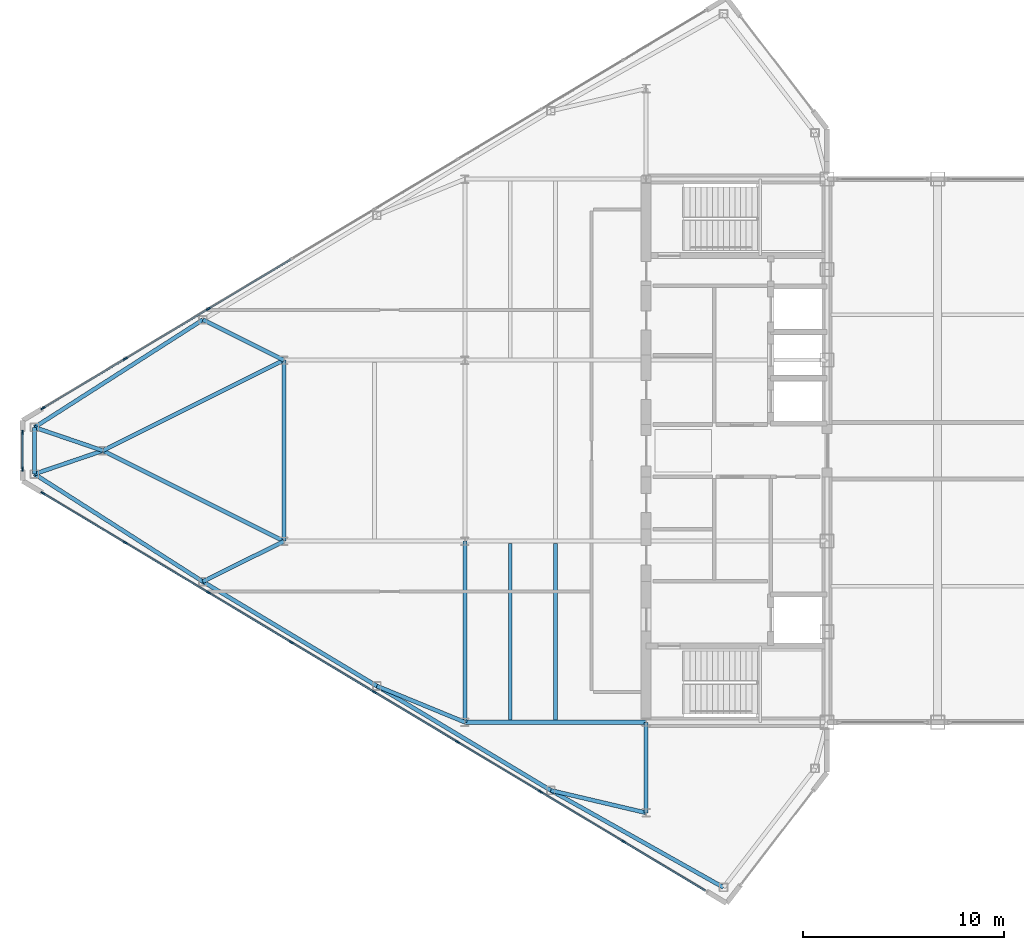
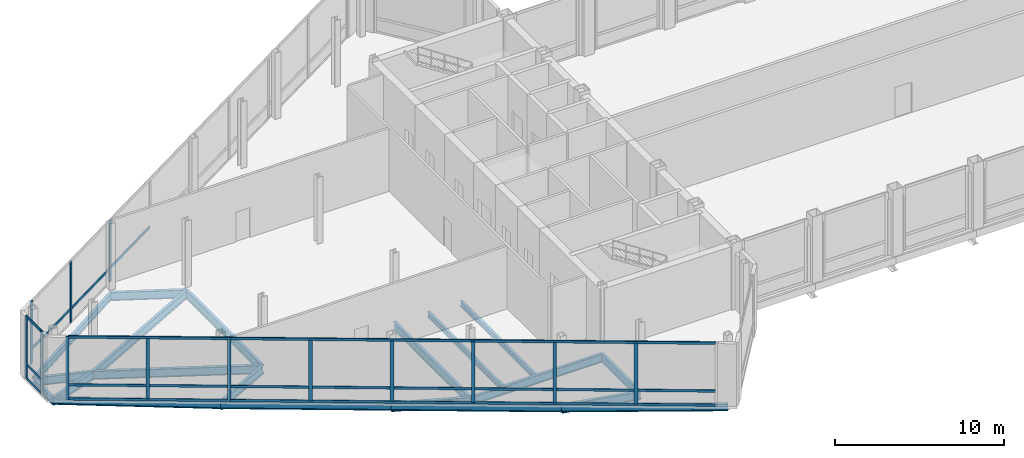
# One storey, part 8 of 29: 29 members, 20 beams, 3 elements without a shape of their own.
"""IFC4 building model written with IfcOpenShell, lengths in metres."""

from ifc_helpers import new_model, si_unit, direction, frame, origin, origin_2d, place, context, subcontext, project, spatial, rectangle, i_section, extrude, source, transform, mapped, material, layer, layer_set, material_profile, profile_set, type_object, type_shapes, element, aggregate, save


model = new_model("IFC4")

# Units and contexts
model_context = context("Model", 3, precision=1e-05, world=origin(), true_north=direction((0.0, 1.0)))
body_context = subcontext(model_context, "Body", "Model", "MODEL_VIEW")
ifc_project = project(units=[si_unit("LENGTHUNIT", "METRE"), si_unit("AREAUNIT", "SQUARE_METRE"), si_unit("VOLUMEUNIT", "CUBIC_METRE"), si_unit("PLANEANGLEUNIT", "RADIAN"), si_unit("MASSUNIT", "GRAM", prefix="KILO")], contexts=[model_context])

# Site, building, storey
site_placement = place(None, origin())
site = spatial("IfcSite", under=ifc_project, at=site_placement, CompositionType="ELEMENT")
building_placement = place(site_placement, origin())
building = spatial("IfcBuilding", under=site, at=building_placement, Name="Seokmaru Belvedere", CompositionType="ELEMENT")
storey_placement = place(building_placement, frame((0.0, 0.0, 269.39990234375)))
storey = spatial("IfcBuildingStorey", under=building, at=storey_placement, Name="L71", CompositionType="ELEMENT", Elevation=269.39990234375)

# Beams
ifc_material_1 = material(Name="Steel SM355 (355 MPa)", Category="steel")
ifc_material_profile_1 = material_profile(ifc_material_1, i_section(OverallWidth=0.199951171875, OverallDepth=0.60009765625, WebThickness=0.010986328125, FlangeThickness=0.01708984375, at=origin_2d()), Name="H-600x200x11x17")
ifc_profile_set_1 = profile_set([ifc_material_profile_1], Name="Steel SM355 (355 MPa)")
beam_type_1 = type_object("IfcBeamType", Name="Primary Floor Girder H-600", PredefinedType="BEAM", material=ifc_profile_set_1)
shared_shape_1 = source(origin(), body_context, "Body", "SweptSolid", [
    extrude(i_section(OverallWidth=0.199951171875, OverallDepth=0.60009765625, WebThickness=0.010986328125, FlangeThickness=0.01708984375, at=origin_2d()), origin(), (0.0, 0.0, 1.0), 9.0),
])
for number, where, z_axis, x_axis, name in (
    (1, (-45.5, -13.5, -0.559814453125), (0.0, 1.0, 0.0), (-1.0, 0.0, 0.0), "L71 W Interior Grid Girder 1"),
    (2, (-45.5, -13.5, -0.559814453125), (1.0, 0.0, 0.0), (0.0, 1.0, 0.0), "L71 W Wing Primary Girder 1"),
    (3, (-54.5, -4.5, -0.559814453125), (0.0, 1.0, 0.0), (-1.0, 0.0, 0.0), "L71 W Apex Frame Girder"),
):
    element("IfcBeam", number, at=place(storey_placement, frame(where, z_axis=z_axis, x_axis=x_axis)), inside=storey, type_object=beam_type_1, Name=name, PredefinedType="BEAM", context=body_context, shape_type="MappedRepresentation", body=[
        mapped(shared_shape_1, transform((0.0, 0.0, 0.0), scale=1.0)),
    ])
shared_shape_2 = source(origin(), body_context, "Body", "SweptSolid", [
    extrude(i_section(OverallWidth=0.199951171875, OverallDepth=0.60009765625, WebThickness=0.010986328125, FlangeThickness=0.01708984375, at=origin_2d()), origin(), (0.0, 0.0, 1.0), 10.062255859375),
])
for number, where, z_axis, x_axis, name in (
    (4, (-54.5, -4.5, -0.559814453125), (-0.894427191, 0.4472135955, 0.0), (-0.4472135955, -0.894427191, 0.0), "L71 W Apex Converging Girder 1"),
    (5, (-54.5, 4.5, -0.559814453125), (-0.894427191, -0.4472135955, 0.0), (0.4472135955, -0.894427191, 0.0), "L71 W Apex Converging Girder 2"),
):
    element("IfcBeam", number, at=place(storey_placement, frame(where, z_axis=z_axis, x_axis=x_axis)), inside=storey, type_object=beam_type_1, Name=name, PredefinedType="BEAM", context=body_context, shape_type="MappedRepresentation", body=[
        mapped(shared_shape_2, transform((0.0, 0.0, 0.0), scale=1.0)),
    ])
ifc_material_profile_2 = material_profile(ifc_material_1, i_section(OverallWidth=0.18505859375, OverallDepth=0.389892578125, WebThickness=0.008056640625, FlangeThickness=0.011962890625, at=origin_2d()), Name="H-390x185x8x12")
ifc_profile_set_2 = profile_set([ifc_material_profile_2], Name="Steel SM355 (355 MPa)")
beam_type_2 = type_object("IfcBeamType", Name="Secondary Floor Joist H-350", PredefinedType="JOIST", material=ifc_profile_set_2)
shared_shape_3 = source(origin(), body_context, "Body", "SweptSolid", [
    extrude(i_section(OverallWidth=0.18505859375, OverallDepth=0.389892578125, WebThickness=0.008056640625, FlangeThickness=0.011962890625, at=origin_2d()), origin(), (0.0, 0.0, 1.0), 8.7900390625),
])
type_shapes(beam_type_2, [shared_shape_3])
for number, where, z_axis, x_axis, name in (
    (6, (-43.25, -13.39501953125, -0.454833984375), (0.0, 1.0, 0.0), (-1.0, 0.0, 0.0), "L71 W Wing Inner Secondary Joist 1"),
    (7, (-41.0, -13.39501953125, -0.454833984375), (0.0, 1.0, 0.0), (-1.0, 0.0, 0.0), "L71 W Secondary Floor Joist 1"),
):
    element("IfcBeam", number, at=place(storey_placement, frame(where, z_axis=z_axis, x_axis=x_axis)), inside=storey, type_object=beam_type_2, Name=name, PredefinedType="JOIST", context=body_context, shape_type="MappedRepresentation", body=[
        mapped(shared_shape_3, transform((0.0, 0.0, 0.0), scale=1.0)),
    ])
shared_shape_4 = source(origin(), body_context, "Body", "SweptSolid", [
    extrude(i_section(OverallWidth=0.199951171875, OverallDepth=0.60009765625, WebThickness=0.010986328125, FlangeThickness=0.01708984375, at=origin_2d()), origin(), (0.0, 0.0, 1.0), 4.5),
])
beam_1_placement = place(storey_placement, frame((-36.5, -18.0, -0.559814453125), z_axis=(0.0, 1.0, 0.0), x_axis=(-1.0, 0.0, 0.0)))
element("IfcBeam", 8, at=beam_1_placement, inside=storey, type_object=beam_type_1, Name="L71 W Core Shoulder Girder S", PredefinedType="BEAM", context=body_context, shape_type="MappedRepresentation", body=[
    mapped(shared_shape_4, transform((0.0, 0.0, 0.0), scale=1.0)),
])
ifc_material_profile_3 = material_profile(ifc_material_1, i_section(OverallWidth=0.199951171875, OverallDepth=0.5, WebThickness=0.010009765625, FlangeThickness=0.01611328125, at=origin_2d()), Name="H-500x200x10x16")
ifc_profile_set_3 = profile_set([ifc_material_profile_3], Name="Steel SM355 (355 MPa)")
beam_type_3 = type_object("IfcBeamType", Name="Perimeter Spandrel Beam H-500", PredefinedType="SPANDREL", material=ifc_profile_set_3)
shared_shape_5 = source(origin(), body_context, "Body", "SweptSolid", [
    extrude(i_section(OverallWidth=0.199951171875, OverallDepth=0.5, WebThickness=0.010009765625, FlangeThickness=0.01611328125, at=origin_2d()), origin(), (0.0, 0.0, 1.0), 9.842041015625),
])
beam_2_placement = place(storey_placement, frame((-32.649658203125, -21.71044921875, -0.510009765625), z_axis=(-0.871782151818, 0.489893743349, 0.0), x_axis=(-0.489893743349, -0.871782151818, 0.0)))
element("IfcBeam", 9, at=beam_2_placement, inside=storey, type_object=beam_type_3, Name="L71 W Faceted Flank Spandrel S-1", PredefinedType="SPANDREL", context=body_context, shape_type="MappedRepresentation", body=[
    mapped(shared_shape_5, transform((0.0, 0.0, 0.0), scale=1.0)),
])
shared_shape_6 = source(origin(), body_context, "Body", "SweptSolid", [
    extrude(i_section(OverallWidth=0.199951171875, OverallDepth=0.5, WebThickness=0.010009765625, FlangeThickness=0.01611328125, at=origin_2d()), origin(), (0.0, 0.0, 1.0), 10.087646484375),
])
for number, where, z_axis, x_axis, name in (
    (10, (-41.229736328125, -16.888916015625, -0.510009765625), (-0.857499332045, 0.514485078056, 0.0), (-0.514485078056, -0.857499332045, 0.0), "L71 W Faceted Flank Spandrel S-2"),
    (11, (-49.8798828125, -11.698974609375, -0.510009765625), (-0.857488654804, 0.514502873542, 0.0), (-0.514502873542, -0.857488654804, 0.0), "L71 W Faceted Flank Spandrel S-3"),
):
    element("IfcBeam", number, at=place(storey_placement, frame(where, z_axis=z_axis, x_axis=x_axis)), inside=storey, type_object=beam_type_3, Name=name, PredefinedType="SPANDREL", context=body_context, shape_type="MappedRepresentation", body=[
        mapped(shared_shape_6, transform((0.0, 0.0, 0.0), scale=1.0)),
    ])
shared_shape_7 = source(origin(), body_context, "Body", "SweptSolid", [
    extrude(i_section(OverallWidth=0.199951171875, OverallDepth=0.5, WebThickness=0.010009765625, FlangeThickness=0.01611328125, at=origin_2d()), origin(), (0.0, 0.0, 1.0), 9.932861328125),
])
for number, where, z_axis, x_axis, name in (
    (12, (-58.530029296875, -6.5087890625, -0.510009765625), (-0.842651960357, 0.538458609093, 0.0), (-0.538458609093, -0.842651960357, 0.0), "L71 W Faceted Flank Spandrel S-4"),
    (13, (-58.530029296875, 6.5087890625, -0.510009765625), (-0.842651960357, -0.538458609093, 0.0), (0.538458609093, -0.842651960357, 0.0), "L71 W Faceted Flank Spandrel N-4"),
):
    element("IfcBeam", number, at=place(storey_placement, frame(where, z_axis=z_axis, x_axis=x_axis)), inside=storey, type_object=beam_type_3, Name=name, PredefinedType="SPANDREL", context=body_context, shape_type="MappedRepresentation", body=[
        mapped(shared_shape_7, transform((0.0, 0.0, 0.0), scale=1.0)),
    ])
shared_shape_8 = source(origin(), body_context, "Body", "SweptSolid", [
    extrude(i_section(OverallWidth=0.199951171875, OverallDepth=0.5, WebThickness=0.010009765625, FlangeThickness=0.01611328125, at=origin_2d()), origin(), (0.0, 0.0, 1.0), 2.32080078125),
])
type_shapes(beam_type_3, [shared_shape_5, shared_shape_6, shared_shape_7, shared_shape_8])
beam_3_placement = place(storey_placement, frame((-66.89990234375, -1.160400390625, -0.510009765625), z_axis=(0.0, 1.0, 0.0), x_axis=(-1.0, 0.0, 0.0)))
element("IfcBeam", 14, at=beam_3_placement, inside=storey, type_object=beam_type_3, Name="L71 W Faceted Apex Spandrel", PredefinedType="SPANDREL", context=body_context, shape_type="MappedRepresentation", body=[
    mapped(shared_shape_8, transform((0.0, 0.0, 0.0), scale=1.0)),
])
shared_shape_9 = source(origin(), body_context, "Body", "SweptSolid", [
    extrude(i_section(OverallWidth=0.199951171875, OverallDepth=0.60009765625, WebThickness=0.010986328125, FlangeThickness=0.01708984375, at=origin_2d()), origin(), (0.0, 0.0, 1.0), 4.8583984375),
])
beam_4_placement = place(storey_placement, frame((-41.229736328125, -16.888916015625, -0.559814453125), z_axis=(0.97349948295, -0.228689214211, 0.0), x_axis=(0.228689214211, 0.97349948295, 0.0)))
element("IfcBeam", 15, at=beam_4_placement, inside=storey, type_object=beam_type_1, Name="L71 W Flank Radial Floor Girder S-1", PredefinedType="BEAM", context=body_context, shape_type="MappedRepresentation", body=[
    mapped(shared_shape_9, transform((0.0, 0.0, 0.0), scale=1.0)),
])
shared_shape_10 = source(origin(), body_context, "Body", "SweptSolid", [
    extrude(i_section(OverallWidth=0.199951171875, OverallDepth=0.60009765625, WebThickness=0.010986328125, FlangeThickness=0.01708984375, at=origin_2d()), origin(), (0.0, 0.0, 1.0), 4.73583984375),
])
beam_5_placement = place(storey_placement, frame((-49.8798828125, -11.698974609375, -0.559814453125), z_axis=(0.924860562953, -0.380306375301, 0.0), x_axis=(0.380306375301, 0.924860562953, 0.0)))
element("IfcBeam", 16, at=beam_5_placement, inside=storey, type_object=beam_type_1, Name="L71 W Flank Radial Floor Girder S-2", PredefinedType="BEAM", context=body_context, shape_type="MappedRepresentation", body=[
    mapped(shared_shape_10, transform((0.0, 0.0, 0.0), scale=1.0)),
])
shared_shape_11 = source(origin(), body_context, "Body", "SweptSolid", [
    extrude(i_section(OverallWidth=0.199951171875, OverallDepth=0.60009765625, WebThickness=0.010986328125, FlangeThickness=0.01708984375, at=origin_2d()), origin(), (0.0, 0.0, 1.0), 4.5029296875),
])
for number, where, z_axis, x_axis, name in (
    (17, (-58.530029296875, -6.5087890625, -0.559814453125), (0.894979532585, 0.446107202648, 0.0), (-0.446107202648, 0.894979532585, 0.0), "L71 W Flank Radial Floor Girder S-3"),
    (18, (-58.530029296875, 6.5087890625, -0.559814453125), (0.894979532585, -0.446107202648, 0.0), (0.446107202648, 0.894979532585, 0.0), "L71 W Flank Radial Floor Girder N-3"),
):
    element("IfcBeam", number, at=place(storey_placement, frame(where, z_axis=z_axis, x_axis=x_axis)), inside=storey, type_object=beam_type_1, Name=name, PredefinedType="BEAM", context=body_context, shape_type="MappedRepresentation", body=[
        mapped(shared_shape_11, transform((0.0, 0.0, 0.0), scale=1.0)),
    ])
shared_shape_12 = source(origin(), body_context, "Body", "SweptSolid", [
    extrude(i_section(OverallWidth=0.199951171875, OverallDepth=0.60009765625, WebThickness=0.010986328125, FlangeThickness=0.01708984375, at=origin_2d()), origin(), (0.0, 0.0, 1.0), 3.592529296875),
])
type_shapes(beam_type_1, [shared_shape_1, shared_shape_2, shared_shape_4, shared_shape_9, shared_shape_10, shared_shape_11, shared_shape_12])
for number, where, z_axis, x_axis, name in (
    (19, (-66.89990234375, -1.160400390625, -0.559814453125), (0.946395973048, 0.323008764893, 0.0), (-0.323008764893, 0.946395973048, 0.0), "L71 W Apex Radial Floor Girder 1"),
    (20, (-66.89990234375, 1.160400390625, -0.559814453125), (0.946395973048, -0.323008764893, 0.0), (0.323008764893, 0.946395973048, 0.0), "L71 W Apex Radial Floor Girder 2"),
):
    element("IfcBeam", number, at=place(storey_placement, frame(where, z_axis=z_axis, x_axis=x_axis)), inside=storey, type_object=beam_type_1, Name=name, PredefinedType="BEAM", context=body_context, shape_type="MappedRepresentation", body=[
        mapped(shared_shape_12, transform((0.0, 0.0, 0.0), scale=1.0)),
    ])

# Curtain wall, member
ifc_material_2 = material(Name="Bronze Triple Insulating Glass", Category="glass")
ifc_layer = layer(ifc_material_2, 0.219970703125)
ifc_layer_set = layer_set([ifc_layer], Name="Bronze Triple Insulating Glass")
curtain_wall_type = type_object("IfcCurtainWallType", Name="Sky-Gate Bridge Panorama Curtain Wall System CW-6", PredefinedType="NOTDEFINED", material=ifc_layer_set)
curtain_wall_1_placement = place(storey_placement, origin())
curtain_wall_1 = element("IfcCurtainWall", 21, at=curtain_wall_1_placement, inside=storey, type_object=curtain_wall_type, Name="L71 Curtain Wall WF3", PredefinedType="NOTDEFINED")
ifc_material_3 = material(Name="Anodised Bronze Aluminium", Category="aluminium")
ifc_material_profile_4 = material_profile(ifc_material_3, rectangle(XDim=0.080078125, YDim=0.219970703125, at=origin_2d()), Name="CW-M-80x220")
ifc_profile_set_4 = profile_set([ifc_material_profile_4], Name="Anodised Bronze Aluminium")
member_type_1 = type_object("IfcMemberType", Name="Bronze Unitised Mullion 80x220", PredefinedType="MULLION", material=ifc_profile_set_4)
shared_shape_13 = source(origin(), body_context, "Body", "SweptSolid", [
    extrude(rectangle(XDim=0.080078125, YDim=0.219970703125, at=origin_2d()), origin(), (0.0, 0.0, 1.0), 4.5400390625),
])
member_1_placement = place(storey_placement, frame((-66.4794921875, 2.1123046875, 0.0), z_axis=(0.0, 0.0, 1.0), x_axis=(0.514494909364, -0.85749343335, 0.0)))
member_1 = element("IfcMember", 22, at=member_1_placement, type_object=member_type_1, Name="CW:L71:WF3 Mullion 9", PredefinedType="MULLION", context=body_context, shape_type="MappedRepresentation", body=[
    mapped(shared_shape_13, transform((0.0, 0.0, 0.0), scale=1.0)),
])

# Curtain wall, members
curtain_wall_2_placement = place(storey_placement, origin())
curtain_wall_2 = element("IfcCurtainWall", 23, at=curtain_wall_2_placement, inside=storey, type_object=curtain_wall_type, Name="L71 Curtain Wall WF4", PredefinedType="NOTDEFINED")
member_2_placement = place(storey_placement, frame((-67.5, 0.909912109375, 0.0), z_axis=(0.0, 0.0, 1.0), x_axis=(1.0, 0.0, 0.0)))
member_2 = element("IfcMember", 24, at=member_2_placement, type_object=member_type_1, Name="CW:L71:WF4 Mullion 1", PredefinedType="MULLION", context=body_context, shape_type="MappedRepresentation", body=[
    mapped(shared_shape_13, transform((0.0, 0.0, 0.0), scale=1.0)),
])
member_3_placement = place(storey_placement, frame((-67.5, -0.909912109375, 0.0), z_axis=(0.0, 0.0, 1.0), x_axis=(1.0, 0.0, 0.0)))
member_3 = element("IfcMember", 25, at=member_3_placement, type_object=member_type_1, Name="CW:L71:WF4 Mullion 2", PredefinedType="MULLION", context=body_context, shape_type="MappedRepresentation", body=[
    mapped(shared_shape_13, transform((0.0, 0.0, 0.0), scale=1.0)),
])

# Curtain wall, member
curtain_wall_3_placement = place(storey_placement, origin())
curtain_wall_3 = element("IfcCurtainWall", 26, at=curtain_wall_3_placement, inside=storey, type_object=curtain_wall_type, Name="L71 Curtain Wall WF5", PredefinedType="NOTDEFINED")
member_4_placement = place(storey_placement, frame((-66.4794921875, -2.1123046875, 0.0), z_axis=(0.0, 0.0, 1.0), x_axis=(0.514494909364, 0.85749343335, 0.0)))
member_4 = element("IfcMember", 27, at=member_4_placement, type_object=member_type_1, Name="CW:L71:WF5 Mullion 1", PredefinedType="MULLION", context=body_context, shape_type="MappedRepresentation", body=[
    mapped(shared_shape_13, transform((0.0, 0.0, 0.0), scale=1.0)),
])

# Member
shared_shape_14 = source(origin(), body_context, "Body", "SweptSolid", [
    extrude(rectangle(XDim=0.080078125, YDim=0.219970703125, at=origin_2d()), origin(), (0.0, 0.0, 1.0), 4.389892578125),
])
type_shapes(member_type_1, [shared_shape_13, shared_shape_14])
member_5_placement = place(storey_placement, frame((-58.257080078125, 7.0458984375, 0.0751953125), z_axis=(0.0, 0.0, 1.0), x_axis=(0.514494909364, -0.85749343335, 0.0)))
member_5 = element("IfcMember", 28, at=member_5_placement, type_object=member_type_1, Name="CW:L71:WF3 Mullion 7", PredefinedType="MULLION", context=body_context, shape_type="MappedRepresentation", body=[
    mapped(shared_shape_14, transform((0.0, 0.0, 0.0), scale=1.0)),
])

member_6_placement = place(storey_placement, frame((-62.385498046875, 4.56884765625, 0.0751953125), z_axis=(0.0, 0.0, 1.0), x_axis=(0.514494909364, -0.85749343335, 0.0)))
member_6 = element("IfcMember", 29, at=member_6_placement, type_object=member_type_1, Name="CW:L71:WF3 Mullion 8", PredefinedType="MULLION", context=body_context, shape_type="MappedRepresentation", body=[
    mapped(shared_shape_14, transform((0.0, 0.0, 0.0), scale=1.0)),
])

member_7_placement = place(storey_placement, frame((-62.385498046875, -4.56884765625, 0.0751953125), z_axis=(0.0, 0.0, 1.0), x_axis=(0.514494909364, 0.85749343335, 0.0)))
member_7 = element("IfcMember", 30, at=member_7_placement, type_object=member_type_1, Name="CW:L71:WF5 Mullion 2", PredefinedType="MULLION", context=body_context, shape_type="MappedRepresentation", body=[
    mapped(shared_shape_14, transform((0.0, 0.0, 0.0), scale=1.0)),
])

member_8_placement = place(storey_placement, frame((-58.257080078125, -7.0458984375, 0.0751953125), z_axis=(0.0, 0.0, 1.0), x_axis=(0.514494909364, 0.85749343335, 0.0)))
member_8 = element("IfcMember", 31, at=member_8_placement, type_object=member_type_1, Name="CW:L71:WF5 Mullion 3", PredefinedType="MULLION", context=body_context, shape_type="MappedRepresentation", body=[
    mapped(shared_shape_14, transform((0.0, 0.0, 0.0), scale=1.0)),
])

member_9_placement = place(storey_placement, frame((-54.12841796875, -9.52294921875, 0.0751953125), z_axis=(0.0, 0.0, 1.0), x_axis=(0.514494909364, 0.85749343335, 0.0)))
member_9 = element("IfcMember", 32, at=member_9_placement, type_object=member_type_1, Name="CW:L71:WF5 Mullion 4", PredefinedType="MULLION", context=body_context, shape_type="MappedRepresentation", body=[
    mapped(shared_shape_14, transform((0.0, 0.0, 0.0), scale=1.0)),
])

member_10_placement = place(storey_placement, frame((-50.0, -12.0, 0.0751953125), z_axis=(0.0, 0.0, 1.0), x_axis=(0.514494909364, 0.85749343335, 0.0)))
member_10 = element("IfcMember", 33, at=member_10_placement, type_object=member_type_1, Name="CW:L71:WF5 Mullion 5", PredefinedType="MULLION", context=body_context, shape_type="MappedRepresentation", body=[
    mapped(shared_shape_14, transform((0.0, 0.0, 0.0), scale=1.0)),
])

member_11_placement = place(storey_placement, frame((-45.87158203125, -14.47705078125, 0.0751953125), z_axis=(0.0, 0.0, 1.0), x_axis=(0.514494909364, 0.85749343335, 0.0)))
member_11 = element("IfcMember", 34, at=member_11_placement, type_object=member_type_1, Name="CW:L71:WF5 Mullion 6", PredefinedType="MULLION", context=body_context, shape_type="MappedRepresentation", body=[
    mapped(shared_shape_14, transform((0.0, 0.0, 0.0), scale=1.0)),
])

member_12_placement = place(storey_placement, frame((-41.742919921875, -16.9541015625, 0.0751953125), z_axis=(0.0, 0.0, 1.0), x_axis=(0.514494909364, 0.85749343335, 0.0)))
member_12 = element("IfcMember", 35, at=member_12_placement, type_object=member_type_1, Name="CW:L71:WF5 Mullion 7", PredefinedType="MULLION", context=body_context, shape_type="MappedRepresentation", body=[
    mapped(shared_shape_14, transform((0.0, 0.0, 0.0), scale=1.0)),
])

member_13_placement = place(storey_placement, frame((-37.614501953125, -19.43115234375, 0.0751953125), z_axis=(0.0, 0.0, 1.0), x_axis=(0.514494909364, 0.85749343335, 0.0)))
member_13 = element("IfcMember", 36, at=member_13_placement, type_object=member_type_1, Name="CW:L71:WF5 Mullion 8", PredefinedType="MULLION", context=body_context, shape_type="MappedRepresentation", body=[
    mapped(shared_shape_14, transform((0.0, 0.0, 0.0), scale=1.0)),
])

ifc_material_profile_5 = material_profile(ifc_material_3, rectangle(XDim=0.074951171875, YDim=0.179931640625, at=origin_2d()), Name="CW-T-75x180")
ifc_profile_set_5 = profile_set([ifc_material_profile_5], Name="Anodised Bronze Aluminium")
member_type_2 = type_object("IfcMemberType", Name="Bronze Unitised Transom 75x180", PredefinedType="USERDEFINED", material=ifc_profile_set_5)
shared_shape_15 = source(origin(), body_context, "Body", "SweptSolid", [
    extrude(rectangle(XDim=0.074951171875, YDim=0.179931640625, at=origin_2d()), origin(), (0.0, 0.0, 1.0), 38.356689453125),
])
member_14_placement = place(storey_placement, frame((-66.4453125, -2.1328125, 0.03759765625), z_axis=(0.857492925713, -0.514495755428, 0.0), x_axis=(0.514495755428, 0.857492925713, 0.0)))
member_14 = element("IfcMember", 37, at=member_14_placement, type_object=member_type_2, Name="CW:L71:WF5 Continuous Transom 1", ObjectType="TRANSOM", PredefinedType="USERDEFINED", context=body_context, shape_type="MappedRepresentation", body=[
    mapped(shared_shape_15, transform((0.0, 0.0, 0.0), scale=1.0)),
])

member_15_placement = place(storey_placement, frame((-66.4453125, -2.1328125, 4.502685546875), z_axis=(0.857492925713, -0.514495755428, 0.0), x_axis=(0.514495755428, 0.857492925713, 0.0)))
member_15 = element("IfcMember", 38, at=member_15_placement, type_object=member_type_2, Name="CW:L71:WF5 Continuous Transom 2", ObjectType="TRANSOM", PredefinedType="USERDEFINED", context=body_context, shape_type="MappedRepresentation", body=[
    mapped(shared_shape_15, transform((0.0, 0.0, 0.0), scale=1.0)),
])

shared_shape_16 = source(origin(), body_context, "Body", "SweptSolid", [
    extrude(rectangle(XDim=0.074951171875, YDim=0.179931640625, at=origin_2d()), origin(), (0.0, 0.0, 1.0), 4.694580078125),
])
member_16_placement = place(storey_placement, frame((-62.419677734375, 4.548095703125, 1.050048828125), z_axis=(-0.85750210284, -0.514480459906, 0.0), x_axis=(0.514480459906, -0.85750210284, 0.0)))
member_16 = element("IfcMember", 39, at=member_16_placement, type_object=member_type_2, Name="CW:L71:WF3 Spandrel Transom 8", ObjectType="TRANSOM", PredefinedType="USERDEFINED", context=body_context, shape_type="MappedRepresentation", body=[
    mapped(shared_shape_16, transform((0.0, 0.0, 0.0), scale=1.0)),
])

member_17_placement = place(storey_placement, frame((-66.4453125, -2.1328125, 1.050048828125), z_axis=(0.85750210284, -0.514480459906, 0.0), x_axis=(0.514480459906, 0.85750210284, 0.0)))
member_17 = element("IfcMember", 40, at=member_17_placement, type_object=member_type_2, Name="CW:L71:WF5 Spandrel Transom 1", ObjectType="TRANSOM", PredefinedType="USERDEFINED", context=body_context, shape_type="MappedRepresentation", body=[
    mapped(shared_shape_16, transform((0.0, 0.0, 0.0), scale=1.0)),
])

member_18_placement = place(storey_placement, frame((-37.580322265625, -19.451904296875, 1.050048828125), z_axis=(0.85750210284, -0.514480459906, 0.0), x_axis=(0.514480459906, 0.85750210284, 0.0)))
member_18 = element("IfcMember", 41, at=member_18_placement, type_object=member_type_2, Name="CW:L71:WF5 Spandrel Transom 8", ObjectType="TRANSOM", PredefinedType="USERDEFINED", context=body_context, shape_type="MappedRepresentation", body=[
    mapped(shared_shape_16, transform((0.0, 0.0, 0.0), scale=1.0)),
])

shared_shape_17 = source(origin(), body_context, "Body", "SweptSolid", [
    extrude(rectangle(XDim=0.074951171875, YDim=0.179931640625, at=origin_2d()), origin(), (0.0, 0.0, 1.0), 4.734619140625),
])
member_19_placement = place(storey_placement, frame((-58.291259765625, 7.025390625, 1.050048828125), z_axis=(-0.857479275774, -0.514518504641, 0.0), x_axis=(0.514518504641, -0.857479275774, 0.0)))
member_19 = element("IfcMember", 42, at=member_19_placement, type_object=member_type_2, Name="CW:L71:WF3 Spandrel Transom 7", ObjectType="TRANSOM", PredefinedType="USERDEFINED", context=body_context, shape_type="MappedRepresentation", body=[
    mapped(shared_shape_17, transform((0.0, 0.0, 0.0), scale=1.0)),
])

member_20_placement = place(storey_placement, frame((-62.35107421875, -4.58935546875, 1.050048828125), z_axis=(0.857479275774, -0.514518504641, 0.0), x_axis=(0.514518504641, 0.857479275774, 0.0)))
member_20 = element("IfcMember", 43, at=member_20_placement, type_object=member_type_2, Name="CW:L71:WF5 Spandrel Transom 2", ObjectType="TRANSOM", PredefinedType="USERDEFINED", context=body_context, shape_type="MappedRepresentation", body=[
    mapped(shared_shape_17, transform((0.0, 0.0, 0.0), scale=1.0)),
])

member_21_placement = place(storey_placement, frame((-41.708740234375, -16.974609375, 1.050048828125), z_axis=(0.857479275774, -0.514518504641, 0.0), x_axis=(0.514518504641, 0.857479275774, 0.0)))
member_21 = element("IfcMember", 44, at=member_21_placement, type_object=member_type_2, Name="CW:L71:WF5 Spandrel Transom 7", ObjectType="TRANSOM", PredefinedType="USERDEFINED", context=body_context, shape_type="MappedRepresentation", body=[
    mapped(shared_shape_17, transform((0.0, 0.0, 0.0), scale=1.0)),
])

shared_shape_18 = source(origin(), body_context, "Body", "SweptSolid", [
    extrude(rectangle(XDim=0.074951171875, YDim=0.179931640625, at=origin_2d()), origin(), (0.0, 0.0, 1.0), 4.734375),
])
member_22_placement = place(storey_placement, frame((-54.162841796875, 9.502197265625, 1.050048828125), z_axis=(-0.857502025578, -0.514480588682, 0.0), x_axis=(0.514480588682, -0.857502025578, 0.0)))
member_22 = element("IfcMember", 45, at=member_22_placement, type_object=member_type_2, Name="CW:L71:WF3 Spandrel Transom 6", ObjectType="TRANSOM", PredefinedType="USERDEFINED", context=body_context, shape_type="MappedRepresentation", body=[
    mapped(shared_shape_18, transform((0.0, 0.0, 0.0), scale=1.0)),
])

aggregate(curtain_wall_1, [member_5, member_6, member_1, member_22, member_19, member_16])

member_23_placement = place(storey_placement, frame((-58.22265625, -7.06640625, 1.050048828125), z_axis=(0.857502025578, -0.514480588682, 0.0), x_axis=(0.514480588682, 0.857502025578, 0.0)))
member_23 = element("IfcMember", 46, at=member_23_placement, type_object=member_type_2, Name="CW:L71:WF5 Spandrel Transom 3", ObjectType="TRANSOM", PredefinedType="USERDEFINED", context=body_context, shape_type="MappedRepresentation", body=[
    mapped(shared_shape_18, transform((0.0, 0.0, 0.0), scale=1.0)),
])

member_24_placement = place(storey_placement, frame((-45.837158203125, -14.497802734375, 1.050048828125), z_axis=(0.857502025578, -0.514480588682, 0.0), x_axis=(0.514480588682, 0.857502025578, 0.0)))
member_24 = element("IfcMember", 47, at=member_24_placement, type_object=member_type_2, Name="CW:L71:WF5 Spandrel Transom 6", ObjectType="TRANSOM", PredefinedType="USERDEFINED", context=body_context, shape_type="MappedRepresentation", body=[
    mapped(shared_shape_18, transform((0.0, 0.0, 0.0), scale=1.0)),
])

shared_shape_19 = source(origin(), body_context, "Body", "SweptSolid", [
    extrude(rectangle(XDim=0.074951171875, YDim=0.179931640625, at=origin_2d()), origin(), (0.0, 0.0, 1.0), 4.73486328125),
])
member_25_placement = place(storey_placement, frame((-54.09423828125, -9.54345703125, 1.050048828125), z_axis=(0.857492925713, -0.514495755428, 0.0), x_axis=(0.514495755428, 0.857492925713, 0.0)))
member_25 = element("IfcMember", 48, at=member_25_placement, type_object=member_type_2, Name="CW:L71:WF5 Spandrel Transom 4", ObjectType="TRANSOM", PredefinedType="USERDEFINED", context=body_context, shape_type="MappedRepresentation", body=[
    mapped(shared_shape_19, transform((0.0, 0.0, 0.0), scale=1.0)),
])

member_26_placement = place(storey_placement, frame((-49.9658203125, -12.0205078125, 1.050048828125), z_axis=(0.857492925713, -0.514495755428, 0.0), x_axis=(0.514495755428, 0.857492925713, 0.0)))
member_26 = element("IfcMember", 49, at=member_26_placement, type_object=member_type_2, Name="CW:L71:WF5 Spandrel Transom 5", ObjectType="TRANSOM", PredefinedType="USERDEFINED", context=body_context, shape_type="MappedRepresentation", body=[
    mapped(shared_shape_19, transform((0.0, 0.0, 0.0), scale=1.0)),
])

aggregate(curtain_wall_3, [member_4, member_7, member_8, member_9, member_10, member_11, member_12, member_13, member_14, member_15, member_17, member_20, member_23, member_25, member_26, member_24, member_21, member_18])

shared_shape_20 = source(origin(), body_context, "Body", "SweptSolid", [
    extrude(rectangle(XDim=0.074951171875, YDim=0.179931640625, at=origin_2d()), origin(), (0.0, 0.0, 1.0), 1.740234375),
])
type_shapes(member_type_2, [shared_shape_15, shared_shape_16, shared_shape_17, shared_shape_18, shared_shape_19, shared_shape_20])
member_27_placement = place(storey_placement, frame((-67.5, 0.8701171875, 0.03759765625), z_axis=(0.0, -1.0, 0.0), x_axis=(1.0, 0.0, 0.0)))
member_27 = element("IfcMember", 50, at=member_27_placement, type_object=member_type_2, Name="CW:L71:WF4 Continuous Transom 1", ObjectType="TRANSOM", PredefinedType="USERDEFINED", context=body_context, shape_type="MappedRepresentation", body=[
    mapped(shared_shape_20, transform((0.0, 0.0, 0.0), scale=1.0)),
])

member_28_placement = place(storey_placement, frame((-67.5, 0.8701171875, 4.502685546875), z_axis=(0.0, -1.0, 0.0), x_axis=(1.0, 0.0, 0.0)))
member_28 = element("IfcMember", 51, at=member_28_placement, type_object=member_type_2, Name="CW:L71:WF4 Continuous Transom 2", ObjectType="TRANSOM", PredefinedType="USERDEFINED", context=body_context, shape_type="MappedRepresentation", body=[
    mapped(shared_shape_20, transform((0.0, 0.0, 0.0), scale=1.0)),
])

member_29_placement = place(storey_placement, frame((-67.5, 0.8701171875, 1.050048828125), z_axis=(0.0, -1.0, 0.0), x_axis=(1.0, 0.0, 0.0)))
member_29 = element("IfcMember", 52, at=member_29_placement, type_object=member_type_2, Name="CW:L71:WF4 Spandrel Transom 1", ObjectType="TRANSOM", PredefinedType="USERDEFINED", context=body_context, shape_type="MappedRepresentation", body=[
    mapped(shared_shape_20, transform((0.0, 0.0, 0.0), scale=1.0)),
])

aggregate(curtain_wall_2, [member_2, member_3, member_27, member_28, member_29])

save(model, "model.ifc")
